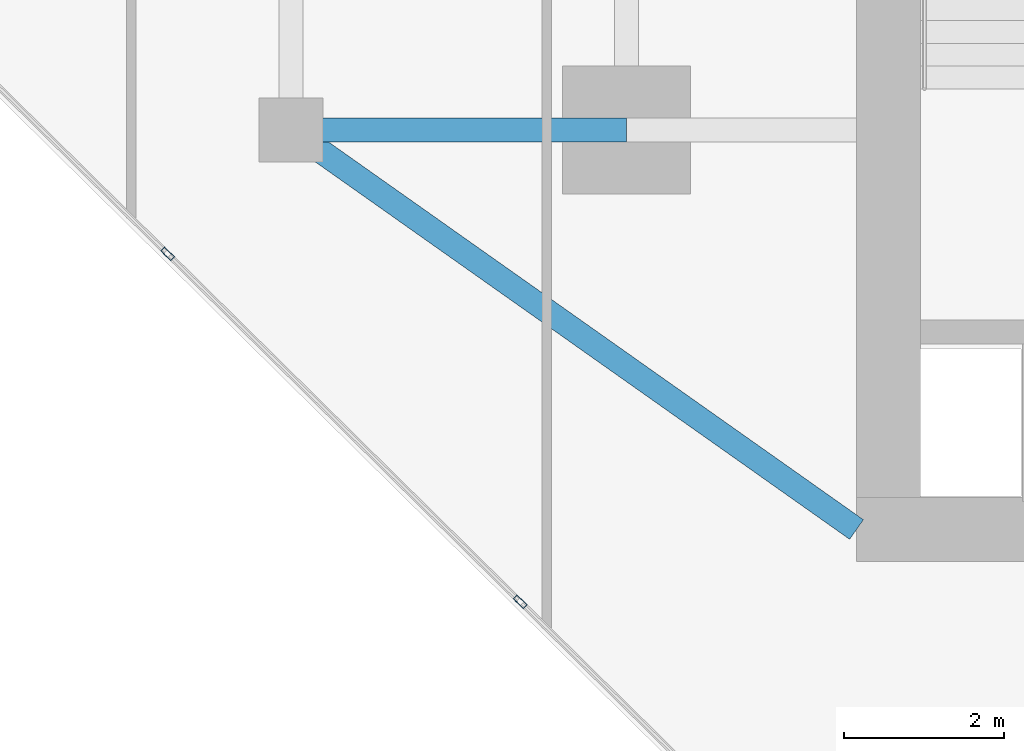
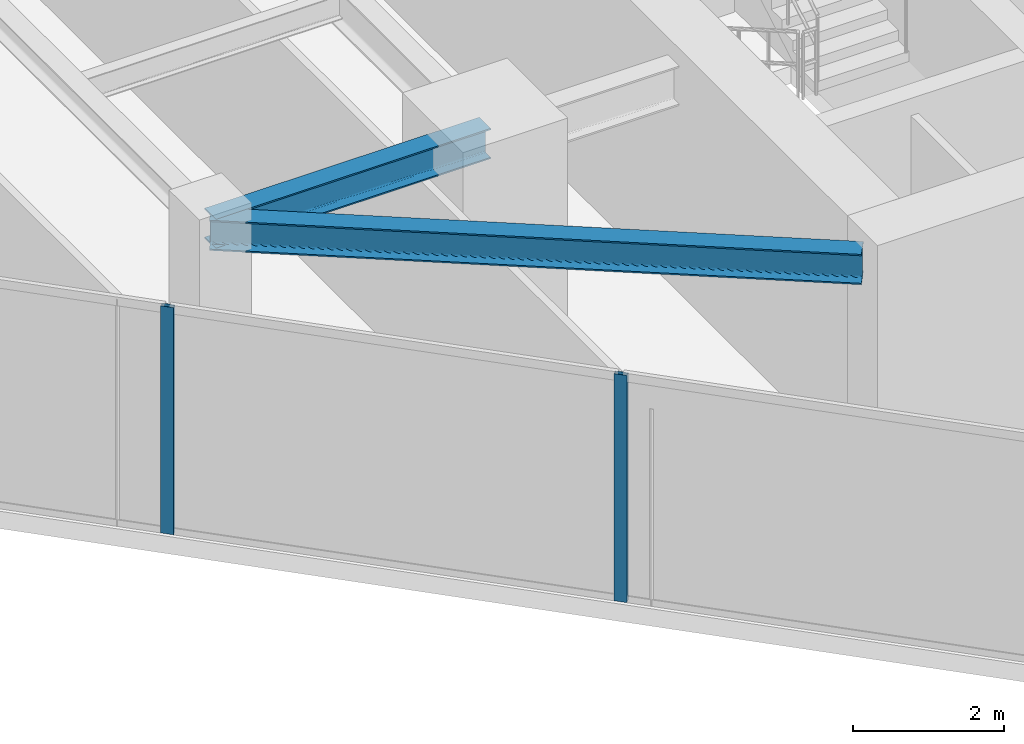
# One storey, part 2 of 24: 2 beams, 2 members, 1 element without a shape of its own.
"""IFC4 building model written with IfcOpenShell, lengths in metres."""

from ifc_helpers import new_model, si_unit, direction, frame, origin, origin_2d, place, context, subcontext, project, spatial, hollow_rectangle, i_section, extrude, source, transform, mapped, material, material_profile, profile_set, type_object, type_shapes, element, aggregate, save


model = new_model("IFC4")

# Units and contexts
model_context = context("Model", 3, precision=1e-05, world=origin(), true_north=direction((0.0, 1.0)))
body_context = subcontext(model_context, "Body", "Model", "MODEL_VIEW")
ifc_project = project(units=[si_unit("LENGTHUNIT", "METRE"), si_unit("AREAUNIT", "SQUARE_METRE"), si_unit("VOLUMEUNIT", "CUBIC_METRE"), si_unit("PLANEANGLEUNIT", "RADIAN"), si_unit("MASSUNIT", "GRAM", prefix="KILO")], contexts=[model_context])

# Site, building, storey
site_placement = place(None, origin())
site = spatial("IfcSite", under=ifc_project, at=site_placement, CompositionType="ELEMENT")
building_placement = place(site_placement, origin())
building = spatial("IfcBuilding", under=site, at=building_placement, Name="Krantzveldt Concourse Tower", CompositionType="ELEMENT")
storey_placement = place(building_placement, frame((0.0, 0.0, 234.949951171875)))
storey = spatial("IfcBuildingStorey", under=building, at=storey_placement, Name="L57", CompositionType="ELEMENT", Elevation=234.949951171875)

# Beams
ifc_material_1 = material(Name="Steel S355JR", Category="steel")
ifc_material_profile_1 = material_profile(ifc_material_1, i_section(OverallWidth=0.300048828125, OverallDepth=0.489990234375, WebThickness=0.011962890625, FlangeThickness=0.02294921875, FilletRadius=0.027099609375, at=origin_2d()), Name="Steel S355JR", Category="steel")
ifc_profile_set_1 = profile_set([ifc_material_profile_1], Name="Steel S355JR - HEA 500")
beam_type = type_object("IfcBeamType", Name="BM-B-HEA500", PredefinedType="BEAM", material=ifc_profile_set_1)
shared_shape_1 = source(origin(), body_context, "Body", "SweptSolid", [
    extrude(i_section(OverallWidth=0.300048828125, OverallDepth=0.489990234375, WebThickness=0.011962890625, FlangeThickness=0.02294921875, FilletRadius=0.027099609375, at=origin_2d()), origin(), (0.0, 0.0, 1.0), 4.199951171875),
])
beam_1_placement = place(storey_placement, frame((21.0, 15.89990234375, 3.425048828125), z_axis=(1.0, 0.0, 0.0), x_axis=(0.0, 1.0, 0.0)))
element("IfcBeam", 1, at=beam_1_placement, inside=storey, type_object=beam_type, Name="L57 Tower Girder BR-RL1", PredefinedType="BEAM", context=body_context, shape_type="MappedRepresentation", body=[
    mapped(shared_shape_1, transform((0.0, 0.0, 0.0), x_axis=(1.0, 0.0, 0.0), y_axis=(0.0, 1.0, 0.0), z_axis=(0.0, 0.0, 1.0), scale=1.0)),
])
shared_shape_2 = source(origin(), body_context, "Body", "SweptSolid", [
    extrude(i_section(OverallWidth=0.300048828125, OverallDepth=0.489990234375, WebThickness=0.011962890625, FlangeThickness=0.02294921875, FilletRadius=0.027099609375, at=origin_2d()), origin(), (0.0, 0.0, 1.0), 8.667724609375),
])
type_shapes(beam_type, [shared_shape_1, shared_shape_2])
beam_2_placement = place(storey_placement, frame((21.0, 15.89990234375, 3.425048828125), z_axis=(0.81684294656, -0.576860122261, 0.0), x_axis=(0.576860122261, 0.81684294656, 0.0)))
element("IfcBeam", 2, at=beam_2_placement, inside=storey, type_object=beam_type, Name="L57 Tower Girder BR-CSW", PredefinedType="BEAM", context=body_context, shape_type="MappedRepresentation", body=[
    mapped(shared_shape_2, transform((0.0, 0.0, 0.0), x_axis=(1.0, 0.0, 0.0), y_axis=(0.0, 1.0, 0.0), z_axis=(0.0, 0.0, 1.0), scale=1.0)),
])

# Curtain wall, members
ifc_material_2 = material(Name="Anodised aluminium 6063-T6", Category="aluminium")
curtain_wall_type = type_object("IfcCurtainWallType", Name="CW3", PredefinedType="USERDEFINED", material=ifc_material_2)
curtain_wall_placement = place(storey_placement, origin())
curtain_wall = element("IfcCurtainWall", 3, at=curtain_wall_placement, inside=storey, type_object=curtain_wall_type, Name="CW-L57-F04", ObjectType="UNITISED CURTAIN WALL", PredefinedType="USERDEFINED")
ifc_material_profile_2 = material_profile(ifc_material_2, hollow_rectangle(XDim=0.070068359375, YDim=0.179931640625, WallThickness=0.0048828125, at=origin_2d()), Name="Anodised aluminium 6063-T6", Category="aluminium")
ifc_profile_set_2 = profile_set([ifc_material_profile_2], Name="Anodised aluminium 6063-T6 - ALU-MULL 180x70x5")
member_type = type_object("IfcMemberType", Name="CW-MUL-180", PredefinedType="MULLION", material=ifc_profile_set_2)
shared_shape_3 = source(origin(), body_context, "Body", "SweptSolid", [
    extrude(hollow_rectangle(XDim=0.070068359375, YDim=0.179931640625, WallThickness=0.0048828125, at=origin_2d()), origin(), (0.0, 0.0, 1.0), 3.670166015625),
])
type_shapes(member_type, [shared_shape_3])
member_1_placement = place(storey_placement, frame((19.456298828125, 14.351318359375, 0.0), z_axis=(0.0, 0.0, 1.0), x_axis=(0.702463570854, 0.711719700179, 0.0)))
member_1 = element("IfcMember", 4, at=member_1_placement, type_object=member_type, Name="CW-Z34 mullion 3", PredefinedType="MULLION", context=body_context, shape_type="MappedRepresentation", body=[
    mapped(shared_shape_3, transform((0.0, 0.0, 0.0), x_axis=(1.0, 0.0, 0.0), y_axis=(0.0, 1.0, 0.0), z_axis=(0.0, 0.0, 1.0), scale=1.0)),
])
member_2_placement = place(storey_placement, frame((23.869140625, 9.99609375, 0.0), z_axis=(0.0, 0.0, 1.0), x_axis=(0.702463570854, 0.711719700179, 0.0)))
member_2 = element("IfcMember", 5, at=member_2_placement, type_object=member_type, Name="CW-Z34 mullion 4", PredefinedType="MULLION", context=body_context, shape_type="MappedRepresentation", body=[
    mapped(shared_shape_3, transform((0.0, 0.0, 0.0), x_axis=(1.0, 0.0, 0.0), y_axis=(0.0, 1.0, 0.0), z_axis=(0.0, 0.0, 1.0), scale=1.0)),
])
aggregate(curtain_wall, [member_1, member_2])

save(model, "model.ifc")
